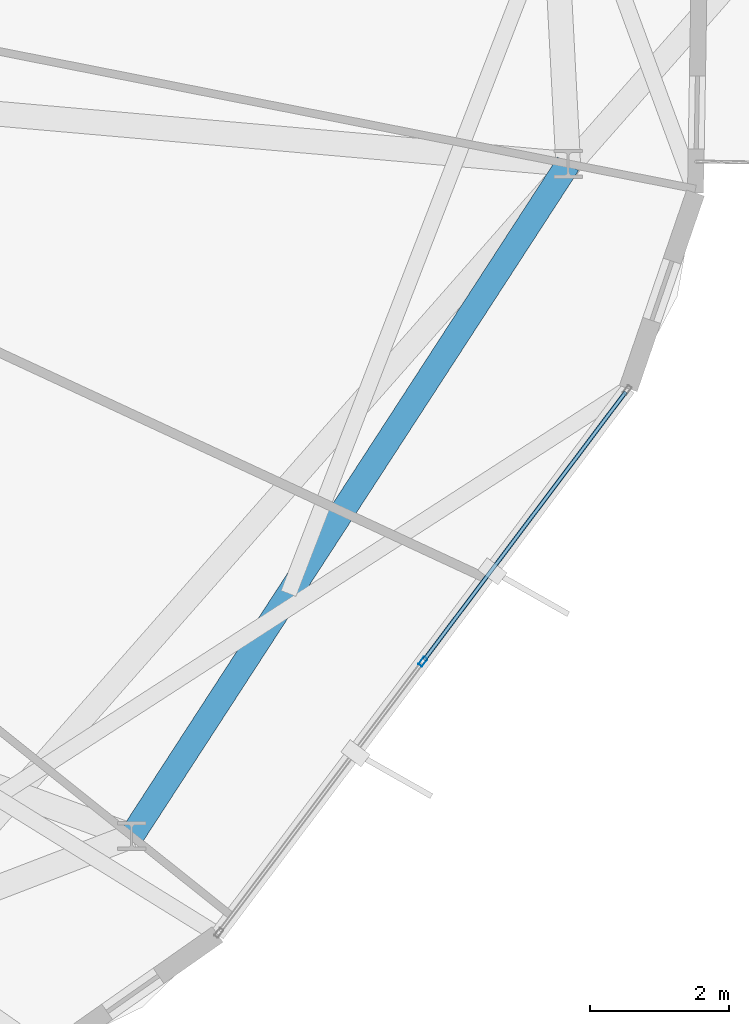
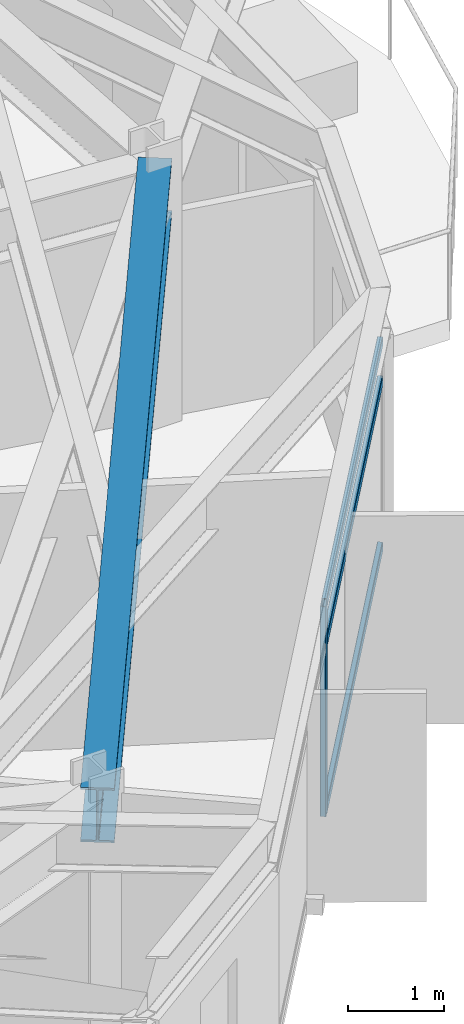
# One storey, part 10 of 29: 4 members, 1 beam, 1 element without a shape of its own.
"""IFC4 building model written with IfcOpenShell, lengths in metres."""

from ifc_helpers import new_model, si_unit, direction, frame, origin, origin_2d, place, context, subcontext, project, spatial, hollow_rectangle, i_section, extrude, material, layer, layer_set, material_profile, profile_set, type_object, element, aggregate, save


model = new_model("IFC4")

# Units and contexts
model_context = context("Model", 3, precision=1e-05, world=origin(), true_north=direction((0.0, 1.0)))
body_context = subcontext(model_context, "Body", "Model", "MODEL_VIEW")
ifc_project = project(units=[si_unit("LENGTHUNIT", "METRE"), si_unit("AREAUNIT", "SQUARE_METRE"), si_unit("VOLUMEUNIT", "CUBIC_METRE"), si_unit("PLANEANGLEUNIT", "RADIAN"), si_unit("MASSUNIT", "GRAM", prefix="KILO")], contexts=[model_context])

# Site, building, storey
site_placement = place(None, origin())
site = spatial("IfcSite", under=ifc_project, at=site_placement, CompositionType="ELEMENT")
building_placement = place(site_placement, origin())
building = spatial("IfcBuilding", under=site, at=building_placement, Name="Soratama Intermodal Tower", CompositionType="ELEMENT")
storey_placement = place(building_placement, frame((0.0, 0.0, 226.60009765625)))
storey = spatial("IfcBuildingStorey", under=building, at=storey_placement, Name="L57", CompositionType="ELEMENT", Elevation=226.60009765625)

# Beam
ifc_material_1 = material(Name="Structural steel ASTM A992 Grade 50", Category="steel")
ifc_material_profile_1 = material_profile(ifc_material_1, i_section(OverallWidth=0.35498046875, OverallDepth=0.695068359375, WebThickness=0.015380859375, FlangeThickness=0.02490234375, FilletRadius=0.01611328125, at=origin_2d()), Name="W27X146")
ifc_profile_set_1 = profile_set([ifc_material_profile_1], Name="Structural steel ASTM A992 Grade 50")
beam_type = type_object("IfcBeamType", Name="BM-RING-W27X146", PredefinedType="BEAM", material=ifc_profile_set_1)
beam_placement = place(storey_placement, frame((56.705078125, 10.544921875, 2.952392578125), z_axis=(0.544637453764, 0.83867159482, 0.0), x_axis=(-0.83867159482, 0.544637453764, 0.0)))
element("IfcBeam", 1, at=beam_placement, inside=storey, type_object=beam_type, Name="BM-L57-RING-09", PredefinedType="BEAM", context=body_context, shape_type="SweptSolid", body=[
    extrude(i_section(OverallWidth=0.35498046875, OverallDepth=0.695068359375, WebThickness=0.015380859375, FlangeThickness=0.02490234375, FilletRadius=0.01611328125, at=origin_2d()), origin(), (0.0, 0.0, 1.0), 11.49560546875),
])

# Curtain wall, members
ifc_material_2 = material(Name="Double-glazed aluminium curtain wall", Category="aluminium")
ifc_layer = layer(ifc_material_2, 0.159912109375)
ifc_layer_set = layer_set([ifc_layer], Name="Double-glazed aluminium curtain wall")
curtain_wall_type = type_object("IfcCurtainWallType", Name="CW-SYS-5", PredefinedType="NOTDEFINED", material=ifc_layer_set)
curtain_wall_placement = place(storey_placement, origin())
curtain_wall = element("IfcCurtainWall", 2, at=curtain_wall_placement, inside=storey, type_object=curtain_wall_type, Name="L57 Faceted Curtain Wall F08", PredefinedType="NOTDEFINED")
ifc_material_3 = material(Name="Anodised aluminium AA 6063-T6", Category="aluminium")
ifc_material_profile_2 = material_profile(ifc_material_3, hollow_rectangle(XDim=0.06494140625, YDim=0.139892578125, WallThickness=0.0048828125, InnerFilletRadius=0.0048828125, OuterFilletRadius=0.010009765625, at=origin_2d()), Name="CWM140X65X5")
ifc_profile_set_2 = profile_set([ifc_material_profile_2], Name="Anodised aluminium AA 6063-T6")
member_type_1 = type_object("IfcMemberType", Name="MT-CWM-5", PredefinedType="MULLION", material=ifc_profile_set_2)
member_1_placement = place(storey_placement, frame((60.8828125, 13.048828125, 0.0), z_axis=(0.0, 0.0, 1.0), x_axis=(-0.799052254373, 0.601261585985, 0.0)))
member_1 = element("IfcMember", 3, at=member_1_placement, type_object=member_type_1, Name="CW-5 mullion 2", PredefinedType="MULLION", context=body_context, shape_type="SweptSolid", body=[
    extrude(hollow_rectangle(XDim=0.06494140625, YDim=0.139892578125, WallThickness=0.0048828125, InnerFilletRadius=0.0048828125, OuterFilletRadius=0.010009765625, at=origin_2d()), origin(), (0.0, 0.0, 1.0), 2.678955078125),
])
ifc_material_4 = material(Name="Anodised aluminium AA 6063-T6", Category="aluminium")
ifc_material_profile_3 = material_profile(ifc_material_4, hollow_rectangle(XDim=0.06005859375, YDim=0.1298828125, WallThickness=0.0048828125, InnerFilletRadius=0.0048828125, OuterFilletRadius=0.010009765625, at=origin_2d()), Name="CWT130X60X5")
ifc_profile_set_3 = profile_set([ifc_material_profile_3], Name="Anodised aluminium AA 6063-T6")
member_type_2 = type_object("IfcMemberType", Name="TT-CWT-2", PredefinedType="USERDEFINED", material=ifc_profile_set_3)
member_2_placement = place(storey_placement, frame((60.90087890625, 13.07275390625, 0.02978515625), z_axis=(0.601258330333, 0.799054704138, 0.0), x_axis=(-0.799054704138, 0.601258330333, 0.0)))
member_2 = element("IfcMember", 4, at=member_2_placement, type_object=member_type_2, Name="CW-5 transom 2.1", ObjectType="TRANSOM", PredefinedType="USERDEFINED", context=body_context, shape_type="SweptSolid", body=[
    extrude(hollow_rectangle(XDim=0.06005859375, YDim=0.1298828125, WallThickness=0.0048828125, InnerFilletRadius=0.0048828125, OuterFilletRadius=0.010009765625, at=origin_2d()), origin(), (0.0, 0.0, 1.0), 4.808837890625),
])
member_3_placement = place(storey_placement, frame((60.90087890625, 13.07275390625, 2.14990234375), z_axis=(0.601258330333, 0.799054704138, 0.0), x_axis=(-0.799054704138, 0.601258330333, 0.0)))
member_3 = element("IfcMember", 5, at=member_3_placement, type_object=member_type_2, Name="CW-5 transom 2.2", ObjectType="TRANSOM", PredefinedType="USERDEFINED", context=body_context, shape_type="SweptSolid", body=[
    extrude(hollow_rectangle(XDim=0.06005859375, YDim=0.1298828125, WallThickness=0.0048828125, InnerFilletRadius=0.0048828125, OuterFilletRadius=0.010009765625, at=origin_2d()), origin(), (0.0, 0.0, 1.0), 4.808837890625),
])
member_4_placement = place(storey_placement, frame((60.90087890625, 13.07275390625, 2.64892578125), z_axis=(0.601258330333, 0.799054704138, 0.0), x_axis=(-0.799054704138, 0.601258330333, 0.0)))
member_4 = element("IfcMember", 6, at=member_4_placement, type_object=member_type_2, Name="CW-5 transom 2.3", ObjectType="TRANSOM", PredefinedType="USERDEFINED", context=body_context, shape_type="SweptSolid", body=[
    extrude(hollow_rectangle(XDim=0.06005859375, YDim=0.1298828125, WallThickness=0.0048828125, InnerFilletRadius=0.0048828125, OuterFilletRadius=0.010009765625, at=origin_2d()), origin(), (0.0, 0.0, 1.0), 4.808837890625),
])
aggregate(curtain_wall, [member_1, member_2, member_3, member_4])

save(model, "model.ifc")
